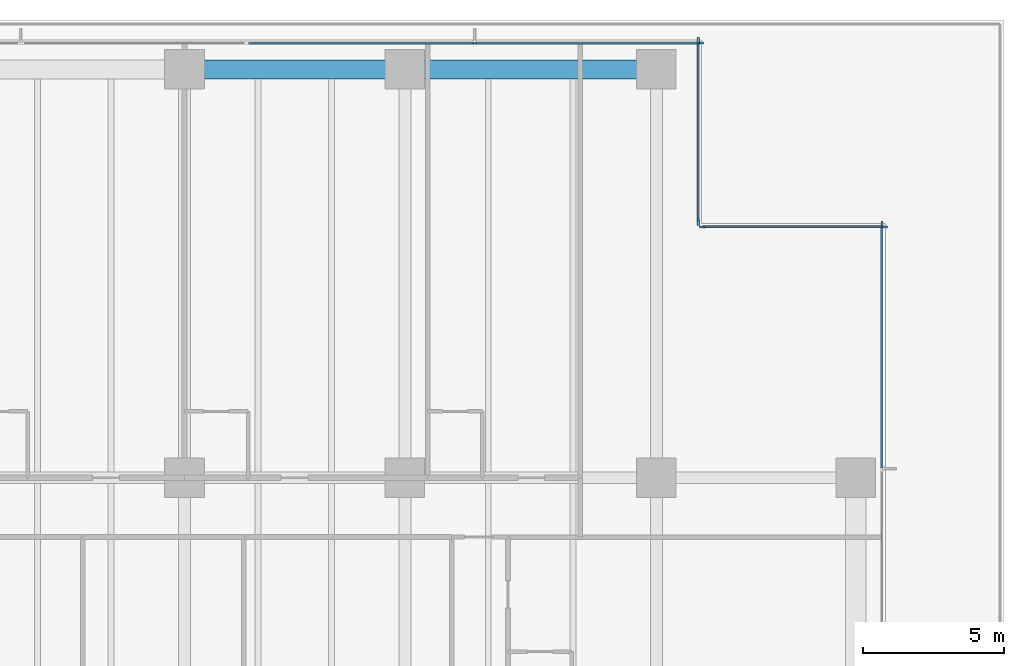
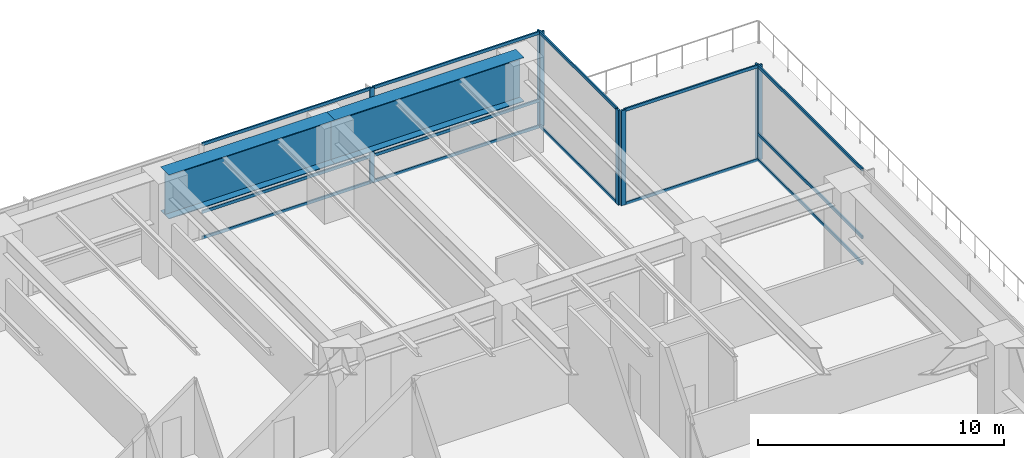
# One storey, part 5 of 19: 20 members, 2 beams, 4 elements without a shape of their own.
"""IFC4 building model written with IfcOpenShell, lengths in metres."""

from ifc_helpers import new_model, si_unit, direction, frame, origin, origin_2d, place, context, subcontext, project, spatial, rectangle, i_section, extrude, material, layer, layer_set, material_profile, profile_set, type_object, element, aggregate, save


model = new_model("IFC4")

# Units and contexts
model_context = context("Model", 3, precision=1e-05, world=origin(), true_north=direction((0.0, 1.0)))
body_context = subcontext(model_context, "Body", "Model", "MODEL_VIEW")
ifc_project = project(units=[si_unit("LENGTHUNIT", "METRE"), si_unit("AREAUNIT", "SQUARE_METRE"), si_unit("VOLUMEUNIT", "CUBIC_METRE"), si_unit("PLANEANGLEUNIT", "RADIAN"), si_unit("MASSUNIT", "GRAM", prefix="KILO")], contexts=[model_context])

# Site, building, storey
site_placement = place(None, origin())
site = spatial("IfcSite", under=ifc_project, at=site_placement, CompositionType="ELEMENT")
building_placement = place(site_placement, origin())
building = spatial("IfcBuilding", under=site, at=building_placement, Name="Qalmaran Belvedere Hotel", CompositionType="ELEMENT")
storey_placement = place(building_placement, frame((0.0, 0.0, 28.39990234375)))
storey = spatial("IfcBuildingStorey", under=building, at=storey_placement, Name="L06", CompositionType="ELEMENT", Elevation=28.39990234375)

# Beams
ifc_material_1 = material(Name="Steel S355JR", Category="steel")
ifc_material_profile_1 = material_profile(ifc_material_1, i_section(OverallWidth=0.679931640625, OverallDepth=2.199951171875, WebThickness=0.028076171875, FlangeThickness=0.035888671875, at=origin_2d()), Name="PG2200X680X36")
ifc_profile_set_1 = profile_set([ifc_material_profile_1], Name="Steel S355JR")
beam_type = type_object("IfcBeamType", Name="BM-TG3-PG2200X680", PredefinedType="USERDEFINED", material=ifc_profile_set_1)
beam_1_placement = place(storey_placement, frame((37.0, 47.449951171875, 3.6201171875), z_axis=(1.0, 0.0, 0.0), x_axis=(0.0, 1.0, 0.0)))
element("IfcBeam", 1, at=beam_1_placement, inside=storey, type_object=beam_type, Name="L06 North Transfer Girder TG-3C", ObjectType="GIRDER", PredefinedType="USERDEFINED", context=body_context, shape_type="SweptSolid", body=[
    extrude(i_section(OverallWidth=0.679931640625, OverallDepth=2.199951171875, WebThickness=0.028076171875, FlangeThickness=0.035888671875, at=origin_2d()), origin(), (0.0, 0.0, 1.0), 7.800048828125),
])
beam_2_placement = place(storey_placement, frame((44.800048828125, 47.449951171875, 3.6201171875), z_axis=(1.0, 0.0, 0.0), x_axis=(0.0, 1.0, 0.0)))
element("IfcBeam", 2, at=beam_2_placement, inside=storey, type_object=beam_type, Name="L06 North Transfer Girder TG-3D", ObjectType="GIRDER", PredefinedType="USERDEFINED", context=body_context, shape_type="SweptSolid", body=[
    extrude(i_section(OverallWidth=0.679931640625, OverallDepth=2.199951171875, WebThickness=0.028076171875, FlangeThickness=0.035888671875, at=origin_2d()), origin(), (0.0, 0.0, 1.0), 8.89990234375),
])

# Curtain wall, member
ifc_material_2 = material(Name="Anodised Bronze Aluminium", Category="aluminium")
ifc_layer = layer(ifc_material_2, 0.2099609375, Name="Anodised Bronze Aluminium")
ifc_layer_set = layer_set([ifc_layer], Name="Anodised Bronze Aluminium")
curtain_wall_type = type_object("IfcCurtainWallType", Name="CW2-TOWER-LOWER", PredefinedType="NOTDEFINED", material=ifc_layer_set)
curtain_wall_1_placement = place(storey_placement, origin())
curtain_wall_1 = element("IfcCurtainWall", 3, at=curtain_wall_1_placement, inside=storey, type_object=curtain_wall_type, Name="L06 Curtain Wall CW2", PredefinedType="NOTDEFINED")
ifc_material_profile_2 = material_profile(ifc_material_2, rectangle(XDim=0.074951171875, YDim=0.219970703125, at=origin_2d()), Name="CWM75X220")
ifc_profile_set_2 = profile_set([ifc_material_profile_2], Name="Anodised Bronze Aluminium")
member_type_1 = type_object("IfcMemberType", Name="CWM-75X220", PredefinedType="MULLION", material=ifc_profile_set_2)
member_1_placement = place(storey_placement, frame((61.679931640625, 41.96240234375, 0.0), z_axis=(0.0, 0.0, 1.0), x_axis=(-1.0, 0.0, 0.0)))
member_1 = element("IfcMember", 4, at=member_1_placement, type_object=member_type_1, Name="CW2 mullion 5", PredefinedType="MULLION", context=body_context, shape_type="SweptSolid", body=[
    extrude(rectangle(XDim=0.074951171875, YDim=0.219970703125, at=origin_2d()), origin(), (0.0, 0.0, 1.0), 4.72021484375),
])

# Curtain wall, members
curtain_wall_2_placement = place(storey_placement, origin())
curtain_wall_2 = element("IfcCurtainWall", 5, at=curtain_wall_2_placement, inside=storey, type_object=curtain_wall_type, Name="L06 Curtain Wall CW2", PredefinedType="NOTDEFINED")
member_2_placement = place(storey_placement, frame((61.762451171875, 41.8798828125, 0.0), z_axis=(0.0, 0.0, 1.0), x_axis=(0.0, -1.0, 0.0)))
member_2 = element("IfcMember", 6, at=member_2_placement, type_object=member_type_1, Name="CW2 mullion 1", PredefinedType="MULLION", context=body_context, shape_type="SweptSolid", body=[
    extrude(rectangle(XDim=0.074951171875, YDim=0.219970703125, at=origin_2d()), origin(), (0.0, 0.0, 1.0), 4.72021484375),
])
member_3_placement = place(storey_placement, frame((55.33740234375, 41.8798828125, 0.0), z_axis=(0.0, 0.0, 1.0), x_axis=(0.0, -1.0, 0.0)))
member_3 = element("IfcMember", 7, at=member_3_placement, type_object=member_type_1, Name="CW2 mullion 2", PredefinedType="MULLION", context=body_context, shape_type="SweptSolid", body=[
    extrude(rectangle(XDim=0.074951171875, YDim=0.219970703125, at=origin_2d()), origin(), (0.0, 0.0, 1.0), 4.72021484375),
])

curtain_wall_3_placement = place(storey_placement, origin())
curtain_wall_3 = element("IfcCurtainWall", 8, at=curtain_wall_3_placement, inside=storey, type_object=curtain_wall_type, Name="L06 Curtain Wall CW2", PredefinedType="NOTDEFINED")
member_4_placement = place(storey_placement, frame((55.179931640625, 42.03759765625, 0.0), z_axis=(0.0, 0.0, 1.0), x_axis=(-1.0, 0.0, 0.0)))
member_4 = element("IfcMember", 9, at=member_4_placement, type_object=member_type_1, Name="CW2 mullion 1", PredefinedType="MULLION", context=body_context, shape_type="SweptSolid", body=[
    extrude(rectangle(XDim=0.074951171875, YDim=0.219970703125, at=origin_2d()), origin(), (0.0, 0.0, 1.0), 4.72021484375),
])
member_5_placement = place(storey_placement, frame((55.179931640625, 48.46240234375, 0.0), z_axis=(0.0, 0.0, 1.0), x_axis=(-1.0, 0.0, 0.0)))
member_5 = element("IfcMember", 10, at=member_5_placement, type_object=member_type_1, Name="CW2 mullion 2", PredefinedType="MULLION", context=body_context, shape_type="SweptSolid", body=[
    extrude(rectangle(XDim=0.074951171875, YDim=0.219970703125, at=origin_2d()), origin(), (0.0, 0.0, 1.0), 4.72021484375),
])

curtain_wall_4_placement = place(storey_placement, origin())
curtain_wall_4 = element("IfcCurtainWall", 11, at=curtain_wall_4_placement, inside=storey, type_object=curtain_wall_type, Name="L06 Curtain Wall CW2", PredefinedType="NOTDEFINED")
member_6_placement = place(storey_placement, frame((55.262451171875, 48.3798828125, 0.0), z_axis=(0.0, 0.0, 1.0), x_axis=(0.0, -1.0, 0.0)))
member_6 = element("IfcMember", 12, at=member_6_placement, type_object=member_type_1, Name="CW2 mullion 1", PredefinedType="MULLION", context=body_context, shape_type="SweptSolid", body=[
    extrude(rectangle(XDim=0.074951171875, YDim=0.219970703125, at=origin_2d()), origin(), (0.0, 0.0, 1.0), 4.72021484375),
])
member_7_placement = place(storey_placement, frame((47.27001953125, 48.3798828125, 0.0), z_axis=(0.0, 0.0, 1.0), x_axis=(0.0, -1.0, 0.0)))
member_7 = element("IfcMember", 13, at=member_7_placement, type_object=member_type_1, Name="CW2 mullion 2", PredefinedType="MULLION", context=body_context, shape_type="SweptSolid", body=[
    extrude(rectangle(XDim=0.074951171875, YDim=0.219970703125, at=origin_2d()), origin(), (0.0, 0.0, 1.0), 4.72021484375),
])

# Member
ifc_material_profile_3 = material_profile(ifc_material_2, rectangle(XDim=0.070068359375, YDim=0.14990234375, at=origin_2d()), Name="CWT70X150")
ifc_profile_set_3 = profile_set([ifc_material_profile_3], Name="Anodised Bronze Aluminium")
member_type_2 = type_object("IfcMemberType", Name="CWT-70X150", PredefinedType="USERDEFINED", material=ifc_profile_set_3)
member_8_placement = place(storey_placement, frame((61.679931640625, 33.362548828125, 0.03515625), z_axis=(0.0, 1.0, 0.0), x_axis=(-1.0, 0.0, 0.0)))
member_8 = element("IfcMember", 14, at=member_8_placement, type_object=member_type_2, Name="CW2 transom 4.1", ObjectType="TRANSOM", PredefinedType="USERDEFINED", context=body_context, shape_type="SweptSolid", body=[
    extrude(rectangle(XDim=0.070068359375, YDim=0.14990234375, at=origin_2d()), origin(), (0.0, 0.0, 1.0), 8.5625),
])

member_9_placement = place(storey_placement, frame((61.679931640625, 33.362548828125, 1.32177734375), z_axis=(0.0, 1.0, 0.0), x_axis=(-1.0, 0.0, 0.0)))
member_9 = element("IfcMember", 15, at=member_9_placement, type_object=member_type_2, Name="CW2 transom 4.2", ObjectType="TRANSOM", PredefinedType="USERDEFINED", context=body_context, shape_type="SweptSolid", body=[
    extrude(rectangle(XDim=0.070068359375, YDim=0.14990234375, at=origin_2d()), origin(), (0.0, 0.0, 1.0), 8.5625),
])

member_10_placement = place(storey_placement, frame((61.679931640625, 33.362548828125, 4.68505859375), z_axis=(0.0, 1.0, 0.0), x_axis=(-1.0, 0.0, 0.0)))
member_10 = element("IfcMember", 16, at=member_10_placement, type_object=member_type_2, Name="CW2 transom 4.3", ObjectType="TRANSOM", PredefinedType="USERDEFINED", context=body_context, shape_type="SweptSolid", body=[
    extrude(rectangle(XDim=0.070068359375, YDim=0.14990234375, at=origin_2d()), origin(), (0.0, 0.0, 1.0), 8.5625),
])

aggregate(curtain_wall_1, [member_1, member_8, member_9, member_10])

member_11_placement = place(storey_placement, frame((61.72509765625, 41.8798828125, 0.03515625), z_axis=(-1.0, 0.0, 0.0), x_axis=(0.0, -1.0, 0.0)))
member_11 = element("IfcMember", 17, at=member_11_placement, type_object=member_type_2, Name="CW2 transom 1.1", ObjectType="TRANSOM", PredefinedType="USERDEFINED", context=body_context, shape_type="SweptSolid", body=[
    extrude(rectangle(XDim=0.070068359375, YDim=0.14990234375, at=origin_2d()), origin(), (0.0, 0.0, 1.0), 6.35009765625),
])

member_12_placement = place(storey_placement, frame((61.72509765625, 41.8798828125, 4.68505859375), z_axis=(-1.0, 0.0, 0.0), x_axis=(0.0, -1.0, 0.0)))
member_12 = element("IfcMember", 18, at=member_12_placement, type_object=member_type_2, Name="CW2 transom 1.2", ObjectType="TRANSOM", PredefinedType="USERDEFINED", context=body_context, shape_type="SweptSolid", body=[
    extrude(rectangle(XDim=0.070068359375, YDim=0.14990234375, at=origin_2d()), origin(), (0.0, 0.0, 1.0), 6.35009765625),
])

aggregate(curtain_wall_2, [member_2, member_3, member_11, member_12])

member_13_placement = place(storey_placement, frame((55.179931640625, 42.074951171875, 0.03515625), z_axis=(0.0, 1.0, 0.0), x_axis=(-1.0, 0.0, 0.0)))
member_13 = element("IfcMember", 19, at=member_13_placement, type_object=member_type_2, Name="CW2 transom 1.1", ObjectType="TRANSOM", PredefinedType="USERDEFINED", context=body_context, shape_type="SweptSolid", body=[
    extrude(rectangle(XDim=0.070068359375, YDim=0.14990234375, at=origin_2d()), origin(), (0.0, 0.0, 1.0), 6.35009765625),
])

member_14_placement = place(storey_placement, frame((55.179931640625, 42.074951171875, 4.68505859375), z_axis=(0.0, 1.0, 0.0), x_axis=(-1.0, 0.0, 0.0)))
member_14 = element("IfcMember", 20, at=member_14_placement, type_object=member_type_2, Name="CW2 transom 1.2", ObjectType="TRANSOM", PredefinedType="USERDEFINED", context=body_context, shape_type="SweptSolid", body=[
    extrude(rectangle(XDim=0.070068359375, YDim=0.14990234375, at=origin_2d()), origin(), (0.0, 0.0, 1.0), 6.35009765625),
])

aggregate(curtain_wall_3, [member_4, member_5, member_13, member_14])

member_15_placement = place(storey_placement, frame((55.22509765625, 48.3798828125, 0.03515625), z_axis=(-1.0, 0.0, 0.0), x_axis=(0.0, -1.0, 0.0)))
member_15 = element("IfcMember", 21, at=member_15_placement, type_object=member_type_2, Name="CW2 transom 1.1", ObjectType="TRANSOM", PredefinedType="USERDEFINED", context=body_context, shape_type="SweptSolid", body=[
    extrude(rectangle(XDim=0.070068359375, YDim=0.14990234375, at=origin_2d()), origin(), (0.0, 0.0, 1.0), 7.91748046875),
])

member_16_placement = place(storey_placement, frame((55.22509765625, 48.3798828125, 1.32177734375), z_axis=(-1.0, 0.0, 0.0), x_axis=(0.0, -1.0, 0.0)))
member_16 = element("IfcMember", 22, at=member_16_placement, type_object=member_type_2, Name="CW2 transom 1.2", ObjectType="TRANSOM", PredefinedType="USERDEFINED", context=body_context, shape_type="SweptSolid", body=[
    extrude(rectangle(XDim=0.070068359375, YDim=0.14990234375, at=origin_2d()), origin(), (0.0, 0.0, 1.0), 7.91748046875),
])

member_17_placement = place(storey_placement, frame((55.22509765625, 48.3798828125, 4.68505859375), z_axis=(-1.0, 0.0, 0.0), x_axis=(0.0, -1.0, 0.0)))
member_17 = element("IfcMember", 23, at=member_17_placement, type_object=member_type_2, Name="CW2 transom 1.3", ObjectType="TRANSOM", PredefinedType="USERDEFINED", context=body_context, shape_type="SweptSolid", body=[
    extrude(rectangle(XDim=0.070068359375, YDim=0.14990234375, at=origin_2d()), origin(), (0.0, 0.0, 1.0), 7.91748046875),
])

member_18_placement = place(storey_placement, frame((47.232421875, 48.3798828125, 0.03515625), z_axis=(-1.0, 0.0, 0.0), x_axis=(0.0, -1.0, 0.0)))
member_18 = element("IfcMember", 24, at=member_18_placement, type_object=member_type_2, Name="CW2 transom 2.1", ObjectType="TRANSOM", PredefinedType="USERDEFINED", context=body_context, shape_type="SweptSolid", body=[
    extrude(rectangle(XDim=0.070068359375, YDim=0.14990234375, at=origin_2d()), origin(), (0.0, 0.0, 1.0), 7.954833984375),
])

member_19_placement = place(storey_placement, frame((47.232421875, 48.3798828125, 1.32177734375), z_axis=(-1.0, 0.0, 0.0), x_axis=(0.0, -1.0, 0.0)))
member_19 = element("IfcMember", 25, at=member_19_placement, type_object=member_type_2, Name="CW2 transom 2.2", ObjectType="TRANSOM", PredefinedType="USERDEFINED", context=body_context, shape_type="SweptSolid", body=[
    extrude(rectangle(XDim=0.070068359375, YDim=0.14990234375, at=origin_2d()), origin(), (0.0, 0.0, 1.0), 7.954833984375),
])

member_20_placement = place(storey_placement, frame((47.232421875, 48.3798828125, 4.68505859375), z_axis=(-1.0, 0.0, 0.0), x_axis=(0.0, -1.0, 0.0)))
member_20 = element("IfcMember", 26, at=member_20_placement, type_object=member_type_2, Name="CW2 transom 2.3", ObjectType="TRANSOM", PredefinedType="USERDEFINED", context=body_context, shape_type="SweptSolid", body=[
    extrude(rectangle(XDim=0.070068359375, YDim=0.14990234375, at=origin_2d()), origin(), (0.0, 0.0, 1.0), 7.954833984375),
])

aggregate(curtain_wall_4, [member_6, member_7, member_15, member_16, member_17, member_18, member_19, member_20])

save(model, "model.ifc")
